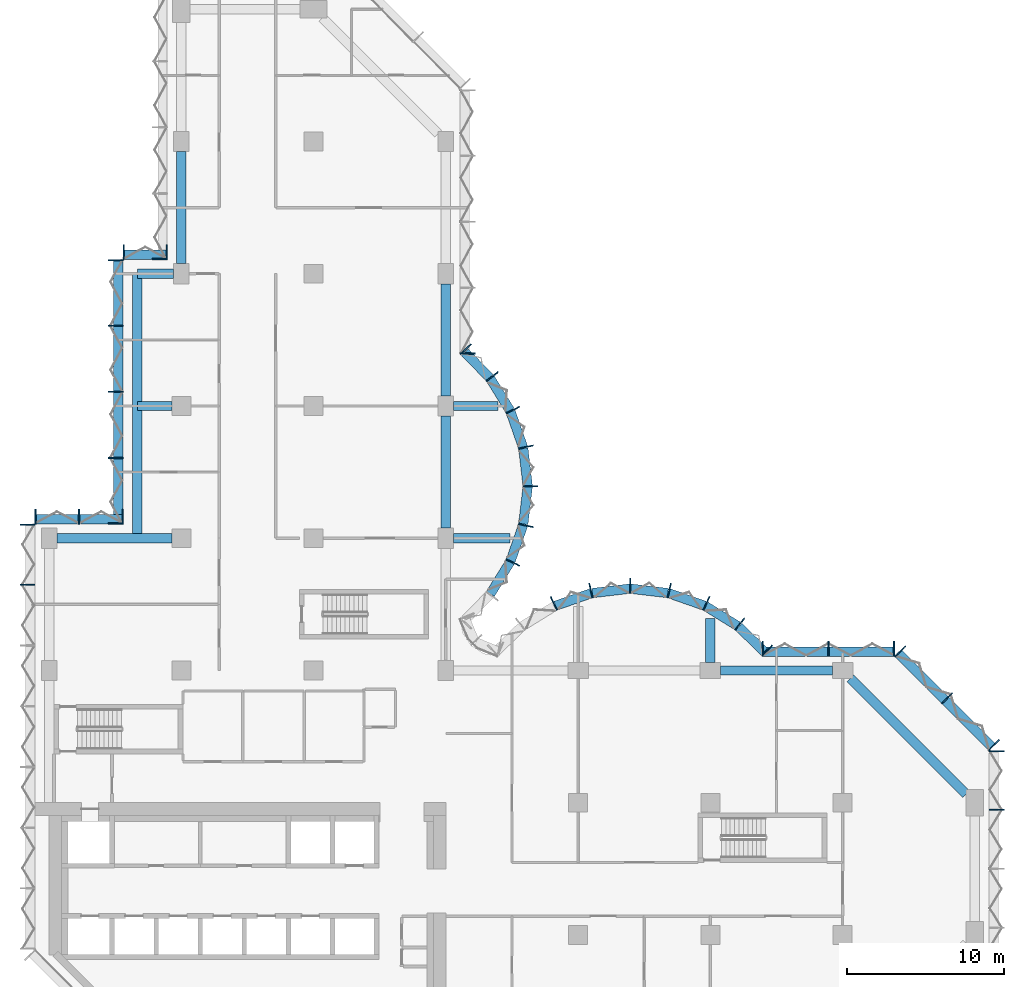
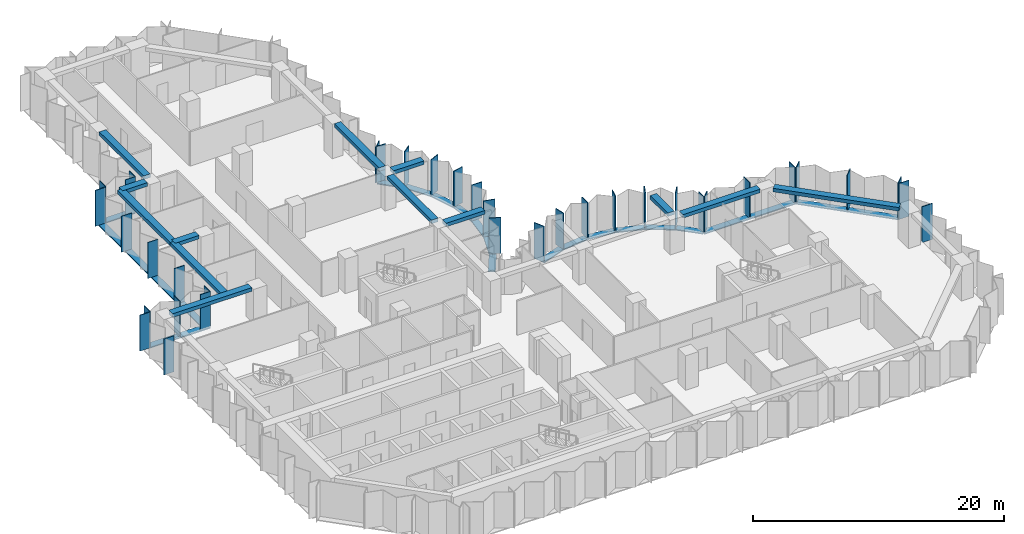
# One storey, part 2 of 11: 54 members, 13 beams, 11 elements without a shape of their own.
"""IFC4 building model written with IfcOpenShell, lengths in metres."""

from ifc_helpers import new_model, si_unit, direction, frame, origin, origin_2d, place, context, subcontext, project, spatial, rectangle, extrude, material, material_profile, profile_set, type_object, element, aggregate, save


model = new_model("IFC4")

# Units and contexts
model_context = context("Model", 3, precision=1e-05, world=origin(), true_north=direction((0.0, 1.0)))
body_context = subcontext(model_context, "Body", "Model", "MODEL_VIEW")
ifc_project = project(units=[si_unit("LENGTHUNIT", "METRE"), si_unit("AREAUNIT", "SQUARE_METRE"), si_unit("VOLUMEUNIT", "CUBIC_METRE"), si_unit("PLANEANGLEUNIT", "RADIAN"), si_unit("MASSUNIT", "GRAM", prefix="KILO")], contexts=[model_context])

# Site, building, storey
site_placement = place(None, origin())
site = spatial("IfcSite", under=ifc_project, at=site_placement, CompositionType="ELEMENT")
building_placement = place(site_placement, origin())
building = spatial("IfcBuilding", under=site, at=building_placement, Name="Brevane Broadcast Tower", CompositionType="ELEMENT")
storey_placement = place(building_placement, frame((0.0, 0.0, 142.10009765625)))
storey = spatial("IfcBuildingStorey", under=building, at=storey_placement, Name="L35", CompositionType="ELEMENT", Elevation=142.10009765625)

# Curtain wall, members
ifc_material_1 = material(Name="Aluminium 6063-T6 bronze anodised", Category="aluminium")
curtain_wall_type = type_object("IfcCurtainWallType", Name="CW-1 curtain wall", PredefinedType="NOTDEFINED", material=ifc_material_1)
curtain_wall_1_placement = place(storey_placement, origin())
curtain_wall_1 = element("IfcCurtainWall", 1, at=curtain_wall_1_placement, inside=storey, type_object=curtain_wall_type, Name="CW-1 typical tilted unit L35 east end", PredefinedType="NOTDEFINED")
ifc_material_profile_1 = material_profile(ifc_material_1, rectangle(XDim=0.949951171875, YDim=0.070068359375, at=origin_2d()), Name="RECT 70x950")
ifc_profile_set_1 = profile_set([ifc_material_profile_1], Name="Aluminium 6063-T6 bronze anodised")
member_type_1 = type_object("IfcMemberType", Name="CW-1 mullion 70x950", PredefinedType="MULLION", material=ifc_profile_set_1)
member_1_placement = place(storey_placement, frame((60.175048828125, 16.35009765625, -0.150146484375), z_axis=(0.0, 0.0, 1.0), x_axis=(-1.0, 0.0, 0.0)))
member_1 = element("IfcMember", 2, at=member_1_placement, type_object=member_type_1, Name="CW-1 mullion", PredefinedType="MULLION", context=body_context, shape_type="SweptSolid", body=[
    extrude(rectangle(XDim=0.949951171875, YDim=0.070068359375, at=origin_2d()), origin(), (0.0, 0.0, 1.0), 3.5),
])
member_2_placement = place(storey_placement, frame((60.175048828125, 20.06494140625, -0.150146484375), z_axis=(0.0, 0.0, 1.0), x_axis=(-1.0, 0.0, 0.0)))
member_2 = element("IfcMember", 3, at=member_2_placement, type_object=member_type_1, Name="CW-1 mullion", PredefinedType="MULLION", context=body_context, shape_type="SweptSolid", body=[
    extrude(rectangle(XDim=0.949951171875, YDim=0.070068359375, at=origin_2d()), origin(), (0.0, 0.0, 1.0), 3.5),
])
aggregate(curtain_wall_1, [member_1, member_2])

curtain_wall_2_placement = place(storey_placement, origin())
curtain_wall_2 = element("IfcCurtainWall", 4, at=curtain_wall_2_placement, inside=storey, type_object=curtain_wall_type, Name="CW-1 typical tilted unit L35 north-east chamfer", PredefinedType="NOTDEFINED")
member_3_placement = place(storey_placement, frame((60.01123046875, 20.460693359375, -0.150146484375), z_axis=(0.0, 0.0, 1.0), x_axis=(-0.707106781187, -0.707106781187, 0.0)))
member_3 = element("IfcMember", 5, at=member_3_placement, type_object=member_type_1, Name="CW-1 mullion", PredefinedType="MULLION", context=body_context, shape_type="SweptSolid", body=[
    extrude(rectangle(XDim=0.949951171875, YDim=0.070068359375, at=origin_2d()), origin(), (0.0, 0.0, 1.0), 3.5),
])
member_4_placement = place(storey_placement, frame((57.035888671875, 23.435791015625, -0.150146484375), z_axis=(0.0, 0.0, 1.0), x_axis=(-0.707106781187, -0.707106781187, 0.0)))
member_4 = element("IfcMember", 6, at=member_4_placement, type_object=member_type_1, Name="CW-1 mullion", PredefinedType="MULLION", context=body_context, shape_type="SweptSolid", body=[
    extrude(rectangle(XDim=0.949951171875, YDim=0.070068359375, at=origin_2d()), origin(), (0.0, 0.0, 1.0), 3.5),
])
member_5_placement = place(storey_placement, frame((54.060546875, 26.4111328125, -0.150146484375), z_axis=(0.0, 0.0, 1.0), x_axis=(-0.707106781187, -0.707106781187, 0.0)))
member_5 = element("IfcMember", 7, at=member_5_placement, type_object=member_type_1, Name="CW-1 mullion", PredefinedType="MULLION", context=body_context, shape_type="SweptSolid", body=[
    extrude(rectangle(XDim=0.949951171875, YDim=0.070068359375, at=origin_2d()), origin(), (0.0, 0.0, 1.0), 3.5),
])

curtain_wall_3_placement = place(storey_placement, origin())
curtain_wall_3 = element("IfcCurtainWall", 8, at=curtain_wall_3_placement, inside=storey, type_object=curtain_wall_type, Name="CW-1 typical tilted unit L35 east arm north face", PredefinedType="NOTDEFINED")
member_6_placement = place(storey_placement, frame((53.6650390625, 26.574951171875, -0.150146484375), z_axis=(0.0, 0.0, 1.0), x_axis=(0.0, -1.0, 0.0)))
member_6 = element("IfcMember", 9, at=member_6_placement, type_object=member_type_1, Name="CW-1 mullion", PredefinedType="MULLION", context=body_context, shape_type="SweptSolid", body=[
    extrude(rectangle(XDim=0.949951171875, YDim=0.070068359375, at=origin_2d()), origin(), (0.0, 0.0, 1.0), 3.5),
])
member_7_placement = place(storey_placement, frame((49.5, 26.574951171875, -0.150146484375), z_axis=(0.0, 0.0, 1.0), x_axis=(0.0, -1.0, 0.0)))
member_7 = element("IfcMember", 10, at=member_7_placement, type_object=member_type_1, Name="CW-1 mullion", PredefinedType="MULLION", context=body_context, shape_type="SweptSolid", body=[
    extrude(rectangle(XDim=0.949951171875, YDim=0.070068359375, at=origin_2d()), origin(), (0.0, 0.0, 1.0), 3.5),
])
member_8_placement = place(storey_placement, frame((45.3349609375, 26.574951171875, -0.150146484375), z_axis=(0.0, 0.0, 1.0), x_axis=(0.0, -1.0, 0.0)))
member_8 = element("IfcMember", 11, at=member_8_placement, type_object=member_type_1, Name="CW-1 mullion", PredefinedType="MULLION", context=body_context, shape_type="SweptSolid", body=[
    extrude(rectangle(XDim=0.949951171875, YDim=0.070068359375, at=origin_2d()), origin(), (0.0, 0.0, 1.0), 3.5),
])

curtain_wall_4_placement = place(storey_placement, origin())
curtain_wall_4 = element("IfcCurtainWall", 12, at=curtain_wall_4_placement, inside=storey, type_object=curtain_wall_type, Name="CW-1 typical tilted unit L35 east bow", PredefinedType="NOTDEFINED")
member_9_placement = place(storey_placement, frame((45.60595703125, 26.465087890625, -0.150146484375), z_axis=(0.0, 0.0, 1.0), x_axis=(-0.696811941702, -0.717253872699, 0.0)))
member_9 = element("IfcMember", 13, at=member_9_placement, type_object=member_type_1, Name="CW-1 mullion", PredefinedType="MULLION", context=body_context, shape_type="SweptSolid", body=[
    extrude(rectangle(XDim=0.949951171875, YDim=0.070068359375, at=origin_2d()), origin(), (0.0, 0.0, 1.0), 3.5),
])
member_10_placement = place(storey_placement, frame((43.8720703125, 28.1455078125, -0.150146484375), z_axis=(0.0, 0.0, 1.0), x_axis=(-0.614769738617, -0.788706642853, 0.0)))
member_10 = element("IfcMember", 14, at=member_10_placement, type_object=member_type_1, Name="CW-1 mullion", PredefinedType="MULLION", context=body_context, shape_type="SweptSolid", body=[
    extrude(rectangle(XDim=0.949951171875, YDim=0.070068359375, at=origin_2d()), origin(), (0.0, 0.0, 1.0), 3.5),
])
member_11_placement = place(storey_placement, frame((41.746826171875, 29.4580078125, -0.150146484375), z_axis=(0.0, 0.0, 1.0), x_axis=(-0.429933601163, -0.902860508933, 0.0)))
member_11 = element("IfcMember", 15, at=member_11_placement, type_object=member_type_1, Name="CW-1 mullion", PredefinedType="MULLION", context=body_context, shape_type="SweptSolid", body=[
    extrude(rectangle(XDim=0.949951171875, YDim=0.070068359375, at=origin_2d()), origin(), (0.0, 0.0, 1.0), 3.5),
])
member_12_placement = place(storey_placement, frame((39.38818359375, 30.28076171875, -0.150146484375), z_axis=(0.0, 0.0, 1.0), x_axis=(-0.224806482215, -0.974403430594, 0.0)))
member_12 = element("IfcMember", 16, at=member_12_placement, type_object=member_type_1, Name="CW-1 mullion", PredefinedType="MULLION", context=body_context, shape_type="SweptSolid", body=[
    extrude(rectangle(XDim=0.949951171875, YDim=0.070068359375, at=origin_2d()), origin(), (0.0, 0.0, 1.0), 3.5),
])
member_13_placement = place(storey_placement, frame((36.89990234375, 30.574951171875, -0.150146484375), z_axis=(0.0, 0.0, 1.0), x_axis=(0.0, -1.0, 0.0)))
member_13 = element("IfcMember", 17, at=member_13_placement, type_object=member_type_1, Name="CW-1 mullion", PredefinedType="MULLION", context=body_context, shape_type="SweptSolid", body=[
    extrude(rectangle(XDim=0.949951171875, YDim=0.070068359375, at=origin_2d()), origin(), (0.0, 0.0, 1.0), 3.5),
])
member_14_placement = place(storey_placement, frame((34.411865234375, 30.28076171875, -0.150146484375), z_axis=(0.0, 0.0, 1.0), x_axis=(0.224806482215, -0.974403430594, 0.0)))
member_14 = element("IfcMember", 18, at=member_14_placement, type_object=member_type_1, Name="CW-1 mullion", PredefinedType="MULLION", context=body_context, shape_type="SweptSolid", body=[
    extrude(rectangle(XDim=0.949951171875, YDim=0.070068359375, at=origin_2d()), origin(), (0.0, 0.0, 1.0), 3.5),
])
member_15_placement = place(storey_placement, frame((32.05322265625, 29.4580078125, -0.150146484375), z_axis=(0.0, 0.0, 1.0), x_axis=(0.429933601163, -0.902860508933, 0.0)))
member_15 = element("IfcMember", 19, at=member_15_placement, type_object=member_type_1, Name="CW-1 mullion", PredefinedType="MULLION", context=body_context, shape_type="SweptSolid", body=[
    extrude(rectangle(XDim=0.949951171875, YDim=0.070068359375, at=origin_2d()), origin(), (0.0, 0.0, 1.0), 3.5),
])

curtain_wall_5_placement = place(storey_placement, origin())
curtain_wall_5 = element("IfcCurtainWall", 20, at=curtain_wall_5_placement, inside=storey, type_object=curtain_wall_type, Name="CW-1 typical tilted unit L35 north bow", PredefinedType="NOTDEFINED")
member_16_placement = place(storey_placement, frame((29.4580078125, 32.05322265625, -0.150146484375), z_axis=(0.0, 0.0, 1.0), x_axis=(-0.902860508933, 0.429933601163, 0.0)))
member_16 = element("IfcMember", 21, at=member_16_placement, type_object=member_type_1, Name="CW-1 mullion", PredefinedType="MULLION", context=body_context, shape_type="SweptSolid", body=[
    extrude(rectangle(XDim=0.949951171875, YDim=0.070068359375, at=origin_2d()), origin(), (0.0, 0.0, 1.0), 3.5),
])
member_17_placement = place(storey_placement, frame((30.28076171875, 34.411865234375, -0.150146484375), z_axis=(0.0, 0.0, 1.0), x_axis=(-0.974403430594, 0.224806482215, 0.0)))
member_17 = element("IfcMember", 22, at=member_17_placement, type_object=member_type_1, Name="CW-1 mullion", PredefinedType="MULLION", context=body_context, shape_type="SweptSolid", body=[
    extrude(rectangle(XDim=0.949951171875, YDim=0.070068359375, at=origin_2d()), origin(), (0.0, 0.0, 1.0), 3.5),
])
member_18_placement = place(storey_placement, frame((30.574951171875, 36.89990234375, -0.150146484375), z_axis=(0.0, 0.0, 1.0), x_axis=(-1.0, 0.0, 0.0)))
member_18 = element("IfcMember", 23, at=member_18_placement, type_object=member_type_1, Name="CW-1 mullion", PredefinedType="MULLION", context=body_context, shape_type="SweptSolid", body=[
    extrude(rectangle(XDim=0.949951171875, YDim=0.070068359375, at=origin_2d()), origin(), (0.0, 0.0, 1.0), 3.5),
])
member_19_placement = place(storey_placement, frame((30.28076171875, 39.38818359375, -0.150146484375), z_axis=(0.0, 0.0, 1.0), x_axis=(-0.974403430594, -0.224806482215, 0.0)))
member_19 = element("IfcMember", 24, at=member_19_placement, type_object=member_type_1, Name="CW-1 mullion", PredefinedType="MULLION", context=body_context, shape_type="SweptSolid", body=[
    extrude(rectangle(XDim=0.949951171875, YDim=0.070068359375, at=origin_2d()), origin(), (0.0, 0.0, 1.0), 3.5),
])
member_20_placement = place(storey_placement, frame((29.4580078125, 41.746826171875, -0.150146484375), z_axis=(0.0, 0.0, 1.0), x_axis=(-0.902860508933, -0.429933601163, 0.0)))
member_20 = element("IfcMember", 25, at=member_20_placement, type_object=member_type_1, Name="CW-1 mullion", PredefinedType="MULLION", context=body_context, shape_type="SweptSolid", body=[
    extrude(rectangle(XDim=0.949951171875, YDim=0.070068359375, at=origin_2d()), origin(), (0.0, 0.0, 1.0), 3.5),
])
member_21_placement = place(storey_placement, frame((28.1455078125, 43.8720703125, -0.150146484375), z_axis=(0.0, 0.0, 1.0), x_axis=(-0.788706642853, -0.614769738617, 0.0)))
member_21 = element("IfcMember", 26, at=member_21_placement, type_object=member_type_1, Name="CW-1 mullion", PredefinedType="MULLION", context=body_context, shape_type="SweptSolid", body=[
    extrude(rectangle(XDim=0.949951171875, YDim=0.070068359375, at=origin_2d()), origin(), (0.0, 0.0, 1.0), 3.5),
])
member_22_placement = place(storey_placement, frame((26.465087890625, 45.60595703125, -0.150146484375), z_axis=(0.0, 0.0, 1.0), x_axis=(-0.717253872699, -0.696811941702, 0.0)))
member_22 = element("IfcMember", 27, at=member_22_placement, type_object=member_type_1, Name="CW-1 mullion", PredefinedType="MULLION", context=body_context, shape_type="SweptSolid", body=[
    extrude(rectangle(XDim=0.949951171875, YDim=0.070068359375, at=origin_2d()), origin(), (0.0, 0.0, 1.0), 3.5),
])

# Curtain wall, member
curtain_wall_6_placement = place(storey_placement, origin())
curtain_wall_6 = element("IfcCurtainWall", 28, at=curtain_wall_6_placement, inside=storey, type_object=curtain_wall_type, Name="CW-1 typical tilted unit L35 north arm east face", PredefinedType="NOTDEFINED")
member_23_placement = place(storey_placement, frame((26.574951171875, 45.3349609375, -0.150146484375), z_axis=(0.0, 0.0, 1.0), x_axis=(-1.0, 0.0, 0.0)))
member_23 = element("IfcMember", 29, at=member_23_placement, type_object=member_type_1, Name="CW-1 mullion", PredefinedType="MULLION", context=body_context, shape_type="SweptSolid", body=[
    extrude(rectangle(XDim=0.949951171875, YDim=0.070068359375, at=origin_2d()), origin(), (0.0, 0.0, 1.0), 3.5),
])
aggregate(curtain_wall_6, [member_23])

curtain_wall_7_placement = place(storey_placement, origin())
curtain_wall_7 = element("IfcCurtainWall", 30, at=curtain_wall_7_placement, inside=storey, type_object=curtain_wall_type, Name="CW-1 typical tilted unit L35 north wing west face above the set-back", PredefinedType="NOTDEFINED")
member_24_placement = place(storey_placement, frame((7.02490234375, 51.3349609375, -0.150146484375), z_axis=(0.0, 0.0, 1.0), x_axis=(1.0, 0.0, 0.0)))
member_24 = element("IfcMember", 31, at=member_24_placement, type_object=member_type_1, Name="CW-1 mullion", PredefinedType="MULLION", context=body_context, shape_type="SweptSolid", body=[
    extrude(rectangle(XDim=0.949951171875, YDim=0.070068359375, at=origin_2d()), origin(), (0.0, 0.0, 1.0), 3.5),
])
aggregate(curtain_wall_7, [member_24])

# Curtain wall, members
curtain_wall_8_placement = place(storey_placement, origin())
curtain_wall_8 = element("IfcCurtainWall", 32, at=curtain_wall_8_placement, inside=storey, type_object=curtain_wall_type, Name="CW-1 typical tilted unit L35 north wing west return", PredefinedType="NOTDEFINED")
member_25_placement = place(storey_placement, frame((7.465087890625, 51.77490234375, -0.150146484375), z_axis=(0.0, 0.0, 1.0), x_axis=(0.0, -1.0, 0.0)))
member_25 = element("IfcMember", 33, at=member_25_placement, type_object=member_type_1, Name="CW-1 mullion", PredefinedType="MULLION", context=body_context, shape_type="SweptSolid", body=[
    extrude(rectangle(XDim=0.949951171875, YDim=0.070068359375, at=origin_2d()), origin(), (0.0, 0.0, 1.0), 3.5),
])
member_26_placement = place(storey_placement, frame((4.735107421875, 51.77490234375, -0.150146484375), z_axis=(0.0, 0.0, 1.0), x_axis=(0.0, -1.0, 0.0)))
member_26 = element("IfcMember", 34, at=member_26_placement, type_object=member_type_1, Name="CW-1 mullion", PredefinedType="MULLION", context=body_context, shape_type="SweptSolid", body=[
    extrude(rectangle(XDim=0.949951171875, YDim=0.070068359375, at=origin_2d()), origin(), (0.0, 0.0, 1.0), 3.5),
])

curtain_wall_9_placement = place(storey_placement, origin())
curtain_wall_9 = element("IfcCurtainWall", 35, at=curtain_wall_9_placement, inside=storey, type_object=curtain_wall_type, Name="CW-1 typical tilted unit L35 north wing west face, lower block", PredefinedType="NOTDEFINED")
member_27_placement = place(storey_placement, frame((4.22509765625, 51.264892578125, -0.150146484375), z_axis=(0.0, 0.0, 1.0), x_axis=(1.0, 0.0, 0.0)))
member_27 = element("IfcMember", 36, at=member_27_placement, type_object=member_type_1, Name="CW-1 mullion", PredefinedType="MULLION", context=body_context, shape_type="SweptSolid", body=[
    extrude(rectangle(XDim=0.949951171875, YDim=0.070068359375, at=origin_2d()), origin(), (0.0, 0.0, 1.0), 3.5),
])
member_28_placement = place(storey_placement, frame((4.22509765625, 47.10009765625, -0.150146484375), z_axis=(0.0, 0.0, 1.0), x_axis=(1.0, 0.0, 0.0)))
member_28 = element("IfcMember", 37, at=member_28_placement, type_object=member_type_1, Name="CW-1 mullion", PredefinedType="MULLION", context=body_context, shape_type="SweptSolid", body=[
    extrude(rectangle(XDim=0.949951171875, YDim=0.070068359375, at=origin_2d()), origin(), (0.0, 0.0, 1.0), 3.5),
])
member_29_placement = place(storey_placement, frame((4.22509765625, 42.89990234375, -0.150146484375), z_axis=(0.0, 0.0, 1.0), x_axis=(1.0, 0.0, 0.0)))
member_29 = element("IfcMember", 38, at=member_29_placement, type_object=member_type_1, Name="CW-1 mullion", PredefinedType="MULLION", context=body_context, shape_type="SweptSolid", body=[
    extrude(rectangle(XDim=0.949951171875, YDim=0.070068359375, at=origin_2d()), origin(), (0.0, 0.0, 1.0), 3.5),
])
member_30_placement = place(storey_placement, frame((4.22509765625, 38.699951171875, -0.150146484375), z_axis=(0.0, 0.0, 1.0), x_axis=(1.0, 0.0, 0.0)))
member_30 = element("IfcMember", 39, at=member_30_placement, type_object=member_type_1, Name="CW-1 mullion", PredefinedType="MULLION", context=body_context, shape_type="SweptSolid", body=[
    extrude(rectangle(XDim=0.949951171875, YDim=0.070068359375, at=origin_2d()), origin(), (0.0, 0.0, 1.0), 3.5),
])
member_31_placement = place(storey_placement, frame((4.22509765625, 34.534912109375, -0.150146484375), z_axis=(0.0, 0.0, 1.0), x_axis=(1.0, 0.0, 0.0)))
member_31 = element("IfcMember", 40, at=member_31_placement, type_object=member_type_1, Name="CW-1 mullion", PredefinedType="MULLION", context=body_context, shape_type="SweptSolid", body=[
    extrude(rectangle(XDim=0.949951171875, YDim=0.070068359375, at=origin_2d()), origin(), (0.0, 0.0, 1.0), 3.5),
])

curtain_wall_10_placement = place(storey_placement, origin())
curtain_wall_10 = element("IfcCurtainWall", 41, at=curtain_wall_10_placement, inside=storey, type_object=curtain_wall_type, Name="CW-1 typical tilted unit L35 north wing west return, lower block", PredefinedType="NOTDEFINED")
member_32_placement = place(storey_placement, frame((4.6650390625, 34.97509765625, -0.150146484375), z_axis=(0.0, 0.0, 1.0), x_axis=(0.0, -1.0, 0.0)))
member_32 = element("IfcMember", 42, at=member_32_placement, type_object=member_type_1, Name="CW-1 mullion", PredefinedType="MULLION", context=body_context, shape_type="SweptSolid", body=[
    extrude(rectangle(XDim=0.949951171875, YDim=0.070068359375, at=origin_2d()), origin(), (0.0, 0.0, 1.0), 3.5),
])
member_33_placement = place(storey_placement, frame((1.89990234375, 34.97509765625, -0.150146484375), z_axis=(0.0, 0.0, 1.0), x_axis=(0.0, -1.0, 0.0)))
member_33 = element("IfcMember", 43, at=member_33_placement, type_object=member_type_1, Name="CW-1 mullion", PredefinedType="MULLION", context=body_context, shape_type="SweptSolid", body=[
    extrude(rectangle(XDim=0.949951171875, YDim=0.070068359375, at=origin_2d()), origin(), (0.0, 0.0, 1.0), 3.5),
])
member_34_placement = place(storey_placement, frame((-0.864990234375, 34.97509765625, -0.150146484375), z_axis=(0.0, 0.0, 1.0), x_axis=(0.0, -1.0, 0.0)))
member_34 = element("IfcMember", 44, at=member_34_placement, type_object=member_type_1, Name="CW-1 mullion", PredefinedType="MULLION", context=body_context, shape_type="SweptSolid", body=[
    extrude(rectangle(XDim=0.949951171875, YDim=0.070068359375, at=origin_2d()), origin(), (0.0, 0.0, 1.0), 3.5),
])

curtain_wall_11_placement = place(storey_placement, origin())
curtain_wall_11 = element("IfcCurtainWall", 45, at=curtain_wall_11_placement, inside=storey, type_object=curtain_wall_type, Name="CW-1 typical tilted unit L35 west face", PredefinedType="NOTDEFINED")
member_35_placement = place(storey_placement, frame((-1.375, 34.465087890625, -0.150146484375), z_axis=(0.0, 0.0, 1.0), x_axis=(1.0, 0.0, 0.0)))
member_35 = element("IfcMember", 46, at=member_35_placement, type_object=member_type_1, Name="CW-1 mullion", PredefinedType="MULLION", context=body_context, shape_type="SweptSolid", body=[
    extrude(rectangle(XDim=0.949951171875, YDim=0.070068359375, at=origin_2d()), origin(), (0.0, 0.0, 1.0), 3.5),
])
member_36_placement = place(storey_placement, frame((-1.375, 30.642822265625, -0.150146484375), z_axis=(0.0, 0.0, 1.0), x_axis=(1.0, 0.0, 0.0)))
member_36 = element("IfcMember", 47, at=member_36_placement, type_object=member_type_1, Name="CW-1 mullion", PredefinedType="MULLION", context=body_context, shape_type="SweptSolid", body=[
    extrude(rectangle(XDim=0.949951171875, YDim=0.070068359375, at=origin_2d()), origin(), (0.0, 0.0, 1.0), 3.5),
])
aggregate(curtain_wall_11, [member_35, member_36])

# Member
ifc_material_profile_2 = material_profile(ifc_material_1, rectangle(XDim=0.60009765625, YDim=0.10009765625, at=origin_2d()), Name="RECT 100x600")
ifc_profile_set_2 = profile_set([ifc_material_profile_2], Name="Aluminium 6063-T6 bronze anodised")
member_type_2 = type_object("IfcMemberType", Name="CW-1 transom 100x600", PredefinedType="USERDEFINED", material=ifc_profile_set_2)
member_37_placement = place(storey_placement, frame((59.912109375, 20.31201171875, -0.2001953125), z_axis=(-0.707106781187, 0.707106781187, 0.0), x_axis=(-0.707106781187, -0.707106781187, 0.0)))
member_37 = element("IfcMember", 48, at=member_37_placement, type_object=member_type_2, Name="CW-1 transom", ObjectType="TRANSOM", PredefinedType="USERDEFINED", context=body_context, shape_type="SweptSolid", body=[
    extrude(rectangle(XDim=0.60009765625, YDim=0.10009765625, at=origin_2d()), origin(), (0.0, 0.0, 1.0), 8.4853515625),
])

aggregate(curtain_wall_2, [member_3, member_4, member_5, member_37])

member_38_placement = place(storey_placement, frame((53.699951171875, 26.39990234375, -0.2001953125), z_axis=(-1.0, 0.0, 0.0), x_axis=(0.0, -1.0, 0.0)))
member_38 = element("IfcMember", 49, at=member_38_placement, type_object=member_type_2, Name="CW-1 transom", ObjectType="TRANSOM", PredefinedType="USERDEFINED", context=body_context, shape_type="SweptSolid", body=[
    extrude(rectangle(XDim=0.60009765625, YDim=0.10009765625, at=origin_2d()), origin(), (0.0, 0.0, 1.0), 8.39990234375),
])

aggregate(curtain_wall_3, [member_6, member_7, member_8, member_38])

member_39_placement = place(storey_placement, frame((45.412841796875, 26.407958984375, -0.2001953125), z_axis=(-0.71724215871, 0.696823999134, 0.0), x_axis=(-0.696823999134, -0.71724215871, 0.0)))
member_39 = element("IfcMember", 50, at=member_39_placement, type_object=member_type_2, Name="CW-1 transom", ObjectType="TRANSOM", PredefinedType="USERDEFINED", context=body_context, shape_type="SweptSolid", body=[
    extrude(rectangle(XDim=0.60009765625, YDim=0.10009765625, at=origin_2d()), origin(), (0.0, 0.0, 1.0), 2.247802734375),
])

member_40_placement = place(storey_placement, frame((43.7421875, 28.023193359375, -0.2001953125), z_axis=(-0.850810063131, 0.525473345162, 0.0), x_axis=(-0.525473345162, -0.850810063131, 0.0)))
member_40 = element("IfcMember", 51, at=member_40_placement, type_object=member_type_2, Name="CW-1 transom", ObjectType="TRANSOM", PredefinedType="USERDEFINED", context=body_context, shape_type="SweptSolid", body=[
    extrude(rectangle(XDim=0.60009765625, YDim=0.10009765625, at=origin_2d()), origin(), (0.0, 0.0, 1.0), 2.39453125),
])

member_41_placement = place(storey_placement, frame((41.63623046875, 29.314208984375, -0.2001953125), z_axis=(-0.944197969542, 0.329378497041, 0.0), x_axis=(-0.329378497041, -0.944197969542, 0.0)))
member_41 = element("IfcMember", 52, at=member_41_placement, type_object=member_type_2, Name="CW-1 transom", ObjectType="TRANSOM", PredefinedType="USERDEFINED", context=body_context, shape_type="SweptSolid", body=[
    extrude(rectangle(XDim=0.60009765625, YDim=0.10009765625, at=origin_2d()), origin(), (0.0, 0.0, 1.0), 2.394775390625),
])

member_42_placement = place(storey_placement, frame((39.30029296875, 30.117431640625, -0.2001953125), z_axis=(-0.993062061831, 0.117591417, 0.0), x_axis=(-0.117591417, -0.993062061831, 0.0)))
member_42 = element("IfcMember", 53, at=member_42_placement, type_object=member_type_2, Name="CW-1 transom", ObjectType="TRANSOM", PredefinedType="USERDEFINED", context=body_context, shape_type="SweptSolid", body=[
    extrude(rectangle(XDim=0.60009765625, YDim=0.10009765625, at=origin_2d()), origin(), (0.0, 0.0, 1.0), 2.39794921875),
])

member_43_placement = place(storey_placement, frame((36.880859375, 30.3994140625, -0.2001953125), z_axis=(-0.993060653805, -0.117603307202, 0.0), x_axis=(0.117603307202, -0.993060653805, 0.0)))
member_43 = element("IfcMember", 54, at=member_43_placement, type_object=member_type_2, Name="CW-1 transom", ObjectType="TRANSOM", PredefinedType="USERDEFINED", context=body_context, shape_type="SweptSolid", body=[
    extrude(rectangle(XDim=0.60009765625, YDim=0.10009765625, at=origin_2d()), origin(), (0.0, 0.0, 1.0), 2.397705078125),
])

member_44_placement = place(storey_placement, frame((34.425048828125, 30.10302734375, -0.2001953125), z_axis=(-0.944197969542, -0.329378497041, 0.0), x_axis=(0.329378497041, -0.944197969542, 0.0)))
member_44 = element("IfcMember", 55, at=member_44_placement, type_object=member_type_2, Name="CW-1 transom", ObjectType="TRANSOM", PredefinedType="USERDEFINED", context=body_context, shape_type="SweptSolid", body=[
    extrude(rectangle(XDim=0.60009765625, YDim=0.10009765625, at=origin_2d()), origin(), (0.0, 0.0, 1.0), 2.394775390625),
])

aggregate(curtain_wall_4, [member_9, member_10, member_11, member_12, member_13, member_14, member_15, member_39, member_40, member_41, member_42, member_43, member_44])

member_45_placement = place(storey_placement, frame((28.023193359375, 30.0576171875, -0.2001953125), z_axis=(0.525427766759, 0.850838211365, 0.0), x_axis=(-0.850838211365, 0.525427766759, 0.0)))
member_45 = element("IfcMember", 56, at=member_45_placement, type_object=member_type_2, Name="CW-1 transom", ObjectType="TRANSOM", PredefinedType="USERDEFINED", context=body_context, shape_type="SweptSolid", body=[
    extrude(rectangle(XDim=0.60009765625, YDim=0.10009765625, at=origin_2d()), origin(), (0.0, 0.0, 1.0), 2.394775390625),
])

member_46_placement = place(storey_placement, frame((29.314208984375, 32.163818359375, -0.2001953125), z_axis=(0.329378497041, 0.944197969542, 0.0), x_axis=(-0.944197969542, 0.329378497041, 0.0)))
member_46 = element("IfcMember", 57, at=member_46_placement, type_object=member_type_2, Name="CW-1 transom", ObjectType="TRANSOM", PredefinedType="USERDEFINED", context=body_context, shape_type="SweptSolid", body=[
    extrude(rectangle(XDim=0.60009765625, YDim=0.10009765625, at=origin_2d()), origin(), (0.0, 0.0, 1.0), 2.394775390625),
])

member_47_placement = place(storey_placement, frame((30.117431640625, 34.499755859375, -0.2001953125), z_axis=(0.117603307202, 0.993060653805, 0.0), x_axis=(-0.993060653805, 0.117603307202, 0.0)))
member_47 = element("IfcMember", 58, at=member_47_placement, type_object=member_type_2, Name="CW-1 transom", ObjectType="TRANSOM", PredefinedType="USERDEFINED", context=body_context, shape_type="SweptSolid", body=[
    extrude(rectangle(XDim=0.60009765625, YDim=0.10009765625, at=origin_2d()), origin(), (0.0, 0.0, 1.0), 2.397705078125),
])

member_48_placement = place(storey_placement, frame((30.3994140625, 36.9189453125, -0.2001953125), z_axis=(-0.117591417, 0.993062061831, 0.0), x_axis=(-0.993062061831, -0.117591417, 0.0)))
member_48 = element("IfcMember", 59, at=member_48_placement, type_object=member_type_2, Name="CW-1 transom", ObjectType="TRANSOM", PredefinedType="USERDEFINED", context=body_context, shape_type="SweptSolid", body=[
    extrude(rectangle(XDim=0.60009765625, YDim=0.10009765625, at=origin_2d()), origin(), (0.0, 0.0, 1.0), 2.39794921875),
])

member_49_placement = place(storey_placement, frame((30.10302734375, 39.375, -0.2001953125), z_axis=(-0.329378497041, 0.944197969542, 0.0), x_axis=(-0.944197969542, -0.329378497041, 0.0)))
member_49 = element("IfcMember", 60, at=member_49_placement, type_object=member_type_2, Name="CW-1 transom", ObjectType="TRANSOM", PredefinedType="USERDEFINED", context=body_context, shape_type="SweptSolid", body=[
    extrude(rectangle(XDim=0.60009765625, YDim=0.10009765625, at=origin_2d()), origin(), (0.0, 0.0, 1.0), 2.394775390625),
])

member_50_placement = place(storey_placement, frame((29.281494140625, 41.704833984375, -0.2001953125), z_axis=(-0.525473345162, 0.850810063131, 0.0), x_axis=(-0.850810063131, -0.525473345162, 0.0)))
member_50 = element("IfcMember", 61, at=member_50_placement, type_object=member_type_2, Name="CW-1 transom", ObjectType="TRANSOM", PredefinedType="USERDEFINED", context=body_context, shape_type="SweptSolid", body=[
    extrude(rectangle(XDim=0.60009765625, YDim=0.10009765625, at=origin_2d()), origin(), (0.0, 0.0, 1.0), 2.39453125),
])

member_51_placement = place(storey_placement, frame((27.974365234375, 43.800537109375, -0.2001953125), z_axis=(-0.696823999134, 0.71724215871, 0.0), x_axis=(-0.71724215871, -0.696823999134, 0.0)))
member_51 = element("IfcMember", 62, at=member_51_placement, type_object=member_type_2, Name="CW-1 transom", ObjectType="TRANSOM", PredefinedType="USERDEFINED", context=body_context, shape_type="SweptSolid", body=[
    extrude(rectangle(XDim=0.60009765625, YDim=0.10009765625, at=origin_2d()), origin(), (0.0, 0.0, 1.0), 2.247802734375),
])

aggregate(curtain_wall_5, [member_16, member_17, member_18, member_19, member_20, member_21, member_22, member_45, member_46, member_47, member_48, member_49, member_50, member_51])

member_52_placement = place(storey_placement, frame((7.5, 51.60009765625, -0.2001953125), z_axis=(-1.0, 0.0, 0.0), x_axis=(0.0, -1.0, 0.0)))
member_52 = element("IfcMember", 63, at=member_52_placement, type_object=member_type_2, Name="CW-1 transom", ObjectType="TRANSOM", PredefinedType="USERDEFINED", context=body_context, shape_type="SweptSolid", body=[
    extrude(rectangle(XDim=0.60009765625, YDim=0.10009765625, at=origin_2d()), origin(), (0.0, 0.0, 1.0), 2.800048828125),
])

aggregate(curtain_wall_8, [member_25, member_26, member_52])

member_53_placement = place(storey_placement, frame((4.39990234375, 51.300048828125, -0.2001953125), z_axis=(0.0, -1.0, 0.0), x_axis=(1.0, 0.0, 0.0)))
member_53 = element("IfcMember", 64, at=member_53_placement, type_object=member_type_2, Name="CW-1 transom", ObjectType="TRANSOM", PredefinedType="USERDEFINED", context=body_context, shape_type="SweptSolid", body=[
    extrude(rectangle(XDim=0.60009765625, YDim=0.10009765625, at=origin_2d()), origin(), (0.0, 0.0, 1.0), 16.800048828125),
])

aggregate(curtain_wall_9, [member_27, member_28, member_29, member_30, member_31, member_53])

member_54_placement = place(storey_placement, frame((4.699951171875, 34.800048828125, -0.2001953125), z_axis=(-1.0, 0.0, 0.0), x_axis=(0.0, -1.0, 0.0)))
member_54 = element("IfcMember", 65, at=member_54_placement, type_object=member_type_2, Name="CW-1 transom", ObjectType="TRANSOM", PredefinedType="USERDEFINED", context=body_context, shape_type="SweptSolid", body=[
    extrude(rectangle(XDim=0.60009765625, YDim=0.10009765625, at=origin_2d()), origin(), (0.0, 0.0, 1.0), 5.599853515625),
])

aggregate(curtain_wall_10, [member_32, member_33, member_34, member_54])

# Beams
ifc_material_2 = material(Name="Concrete C40/50", Category="concrete")
ifc_material_profile_3 = material_profile(ifc_material_2, rectangle(XDim=0.60009765625, YDim=0.35009765625, at=origin_2d()), Name="RC 600x350")
ifc_profile_set_3 = profile_set([ifc_material_profile_3], Name="Concrete C40/50")
beam_type_1 = type_object("IfcBeamType", Name="RC BRACKET BEAM 600x350 C40/50", PredefinedType="BEAM", material=ifc_profile_set_3)
beam_1_placement = place(storey_placement, frame((25.699951171875, 33.60009765625, 3.1748046875), z_axis=(1.0, 0.0, 0.0), x_axis=(0.0, 1.0, 0.0)))
element("IfcBeam", 66, at=beam_1_placement, inside=storey, type_object=beam_type_1, Name="EB2 L35-1", PredefinedType="BEAM", context=body_context, shape_type="SweptSolid", body=[
    extrude(rectangle(XDim=0.60009765625, YDim=0.35009765625, at=origin_2d()), origin(), (0.0, 0.0, 1.0), 3.56201171875),
])
for number, where, z_axis, x_axis, name in (
    (67, (25.699951171875, 42.0, 3.1748046875), (1.0, 0.0, 0.0), (0.0, 1.0, 0.0), "EB2 L35-2"),
    (68, (42.0, 25.699951171875, 3.1748046875), (0.0, 1.0, 0.0), (-1.0, 0.0, 0.0), "EB2 L35-4"),
):
    element("IfcBeam", number, at=place(storey_placement, frame(where, z_axis=z_axis, x_axis=x_axis)), inside=storey, type_object=beam_type_1, Name=name, PredefinedType="BEAM", context=body_context, shape_type="SweptSolid", body=[
        extrude(rectangle(XDim=0.60009765625, YDim=0.35009765625, at=origin_2d()), origin(), (0.0, 0.0, 1.0), 2.8115234375),
    ])
beam_2_placement = place(storey_placement, frame((7.800048828125, 42.0, 3.1748046875), z_axis=(-1.0, 0.0, 0.0), x_axis=(0.0, -1.0, 0.0)))
element("IfcBeam", 69, at=beam_2_placement, inside=storey, type_object=beam_type_1, Name="EB2 L35-5", PredefinedType="BEAM", context=body_context, shape_type="SweptSolid", body=[
    extrude(rectangle(XDim=0.60009765625, YDim=0.35009765625, at=origin_2d()), origin(), (0.0, 0.0, 1.0), 2.199951171875),
])
ifc_material_profile_4 = material_profile(ifc_material_2, rectangle(XDim=0.60009765625, YDim=0.35009765625, at=origin_2d()), Name="RC 600x350")
ifc_profile_set_4 = profile_set([ifc_material_profile_4], Name="Concrete C40/50")
beam_type_2 = type_object("IfcBeamType", Name="RC SPANDREL BEAM 600x350 C40/50", PredefinedType="SPANDREL", material=ifc_profile_set_4)
beam_3_placement = place(storey_placement, frame((58.25, 17.35009765625, 3.1748046875), z_axis=(-0.707118524903, 0.707095037275, 0.0), x_axis=(-0.707095037275, -0.707118524903, 0.0)))
element("IfcBeam", 70, at=beam_3_placement, inside=storey, type_object=beam_type_2, Name="EB1 L35-6", PredefinedType="SPANDREL", context=body_context, shape_type="SweptSolid", body=[
    extrude(rectangle(XDim=0.60009765625, YDim=0.35009765625, at=origin_2d()), origin(), (0.0, 0.0, 1.0), 10.39453125),
])
for number, where, z_axis, x_axis, name in (
    (71, (49.75, 25.199951171875, 3.1748046875), (-1.0, 0.0, 0.0), (0.0, -1.0, 0.0), "EB1 L35-7"),
    (72, (25.199951171875, 34.25, 3.1748046875), (0.0, 1.0, 0.0), (-1.0, 0.0, 0.0), "EB1 L35-11"),
    (73, (25.199951171875, 42.64990234375, 3.1748046875), (0.0, 1.0, 0.0), (-1.0, 0.0, 0.0), "EB1 L35-12"),
):
    element("IfcBeam", number, at=place(storey_placement, frame(where, z_axis=z_axis, x_axis=x_axis)), inside=storey, type_object=beam_type_2, Name=name, PredefinedType="SPANDREL", context=body_context, shape_type="SweptSolid", body=[
        extrude(rectangle(XDim=0.60009765625, YDim=0.35009765625, at=origin_2d()), origin(), (0.0, 0.0, 1.0), 7.10009765625),
    ])
beam_4_placement = place(storey_placement, frame((0.5, 33.60009765625, 3.1748046875), z_axis=(1.0, 0.0, 0.0), x_axis=(0.0, 1.0, 0.0)))
element("IfcBeam", 74, at=beam_4_placement, inside=storey, type_object=beam_type_2, Name="EB1 L35-18", PredefinedType="SPANDREL", context=body_context, shape_type="SweptSolid", body=[
    extrude(rectangle(XDim=0.60009765625, YDim=0.35009765625, at=origin_2d()), origin(), (0.0, 0.0, 1.0), 7.300048828125),
])
for number, where, z_axis, x_axis, name in (
    (75, (5.60009765625, 33.60009765625, 3.1748046875), (0.0, 1.0, 0.0), (-1.0, 0.0, 0.0), "EB1 L35-19"),
    (76, (5.60009765625, 42.0, 3.1748046875), (0.0, 1.0, 0.0), (-1.0, 0.0, 0.0), "EB1 L35-20"),
):
    element("IfcBeam", number, at=place(storey_placement, frame(where, z_axis=z_axis, x_axis=x_axis)), inside=storey, type_object=beam_type_2, Name=name, PredefinedType="SPANDREL", context=body_context, shape_type="SweptSolid", body=[
        extrude(rectangle(XDim=0.60009765625, YDim=0.35009765625, at=origin_2d()), origin(), (0.0, 0.0, 1.0), 8.39990234375),
    ])
beam_5_placement = place(storey_placement, frame((5.60009765625, 50.39990234375, 3.1748046875), z_axis=(1.0, 0.0, 0.0), x_axis=(0.0, 1.0, 0.0)))
element("IfcBeam", 77, at=beam_5_placement, inside=storey, type_object=beam_type_2, Name="EB1 L35-21", PredefinedType="SPANDREL", context=body_context, shape_type="SweptSolid", body=[
    extrude(rectangle(XDim=0.60009765625, YDim=0.35009765625, at=origin_2d()), origin(), (0.0, 0.0, 1.0), 2.2998046875),
])
beam_6_placement = place(storey_placement, frame((8.39990234375, 51.050048828125, 3.1748046875), z_axis=(0.0, 1.0, 0.0), x_axis=(-1.0, 0.0, 0.0)))
element("IfcBeam", 78, at=beam_6_placement, inside=storey, type_object=beam_type_2, Name="EB1 L35-22", PredefinedType="SPANDREL", context=body_context, shape_type="SweptSolid", body=[
    extrude(rectangle(XDim=0.60009765625, YDim=0.35009765625, at=origin_2d()), origin(), (0.0, 0.0, 1.0), 7.099853515625),
])

save(model, "model.ifc")
